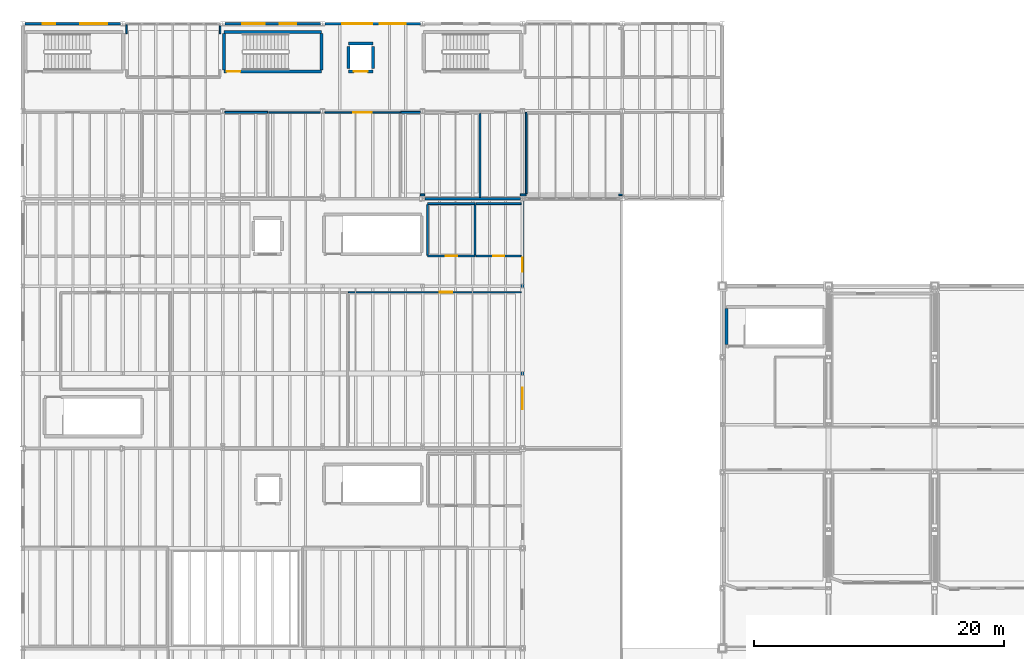
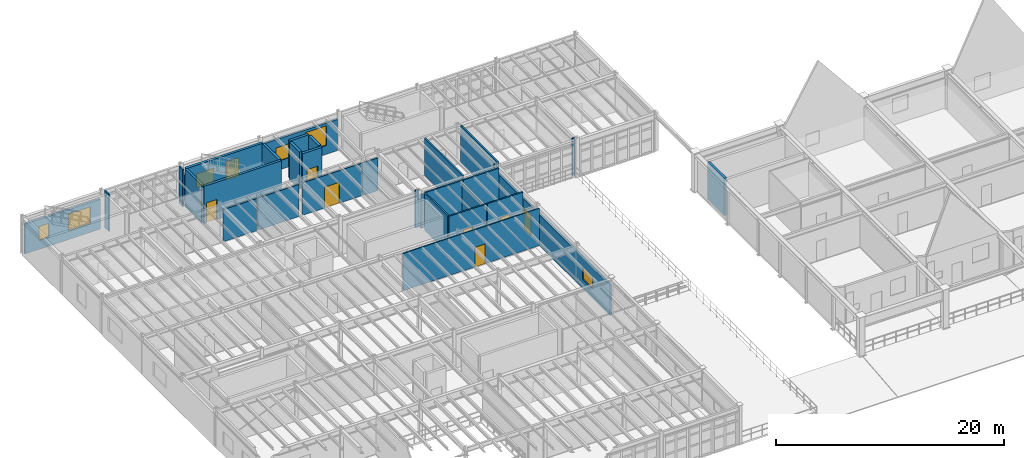
# One storey, part 61 of 78: 32 walls, 7 doors, 7 windows, 14 openings.
"""IFC4 building model written with IfcOpenShell, lengths in metres."""

from ifc_helpers import new_model, si_unit, direction, frame, frame_2d, origin, place, context, subcontext, project, spatial, rectangle, extrude, material, layer, layer_set, type_object, element, fill, save


model = new_model("IFC4")

# Units and contexts
model_context = context("Model", 3, precision=1e-05, world=origin(), true_north=direction((0.0, 1.0)))
body_context = subcontext(model_context, "Body", "Model", "MODEL_VIEW")
ifc_project = project(units=[si_unit("LENGTHUNIT", "METRE"), si_unit("AREAUNIT", "SQUARE_METRE"), si_unit("VOLUMEUNIT", "CUBIC_METRE"), si_unit("PLANEANGLEUNIT", "RADIAN"), si_unit("MASSUNIT", "GRAM", prefix="KILO"), si_unit("THERMODYNAMICTEMPERATUREUNIT", "KELVIN"), si_unit("POWERUNIT", "WATT")], contexts=[model_context])

# Site, building, storey
site_placement = place(None, origin())
site = spatial("IfcSite", under=ifc_project, at=site_placement, CompositionType="ELEMENT")
building_placement = place(site_placement, origin())
building = spatial("IfcBuilding", under=site, at=building_placement, Name="Zhenchuan Central Fire Station", CompositionType="ELEMENT")
storey_placement = place(building_placement, frame((0.0, 0.0, 5.85009765625)))
storey = spatial("IfcBuildingStorey", under=building, at=storey_placement, Name="L02", CompositionType="ELEMENT", Elevation=5.85009765625)

# Wall, openings, door, window
ifc_material_1 = material(Name="Precast concrete C40/50", Category="concrete")
ifc_layer_1 = layer(ifc_material_1, 0.219970703125, Name="Precast concrete C40/50", Category="concrete")
ifc_layer_set_1 = layer_set([ifc_layer_1], Name="Precast concrete C40/50")
wall_type_1 = type_object("IfcWallType", Name="EW-PRC220", PredefinedType="SOLIDWALL", material=ifc_layer_set_1)
wall_1_placement = place(storey_placement, frame((40.0, 22.625, 0.0), z_axis=(0.0, 0.0, 1.0), x_axis=(0.0, 1.0, 0.0)))
wall_1 = element("IfcWall", 1, at=wall_1_placement, inside=storey, type_object=wall_type_1, Name="EW-L02-V4E", PredefinedType="SOLIDWALL", context=body_context, shape_type="SweptSolid", body=[
    extrude(rectangle(XDim=19.699951171875, YDim=0.219970703125, at=frame_2d((9.85009765625, 0.0))), origin(), (0.0, 0.0, 1.0), 3.2939453125),
])
opening_1_placement = place(wall_1_placement, frame((14.0, 0.0, 0.0)))
opening_1 = element("IfcOpeningElement", 2, at=opening_1_placement, cuts=wall_1, Name="Opening TD-011", PredefinedType="OPENING", context=body_context, shape_type="SweptSolid", body=[
    extrude(rectangle(XDim=1.14990234375, YDim=2.199951171875, at=frame_2d((0.574951171875, 1.10009765625))), frame((0.0, 0.119873046875, 0.0), z_axis=(0.0, -1.0, 0.0), x_axis=(1.0, 0.0, 0.0)), (0.0, 0.0, 1.0), 0.239990234375),
])
opening_2_placement = place(wall_1_placement, frame((3.0, 0.0, 1.0)))
opening_2 = element("IfcOpeningElement", 3, at=opening_2_placement, cuts=wall_1, Name="Opening W-43", PredefinedType="OPENING", context=body_context, shape_type="SweptSolid", body=[
    extrude(rectangle(XDim=1.75, YDim=1.300048828125, at=frame_2d((0.875, 0.64990234375))), frame((0.0, 0.119873046875, 0.0), z_axis=(0.0, -1.0, 0.0), x_axis=(1.0, 0.0, 0.0)), (0.0, 0.0, 1.0), 0.239990234375),
])
ifc_material_2 = material(Name="Thermally broken aluminium terrace door", Category="aluminium")
door_type_1 = type_object("IfcDoorType", Name="ED-115x220", OperationType="NOTDEFINED", PredefinedType="DOOR", material=ifc_material_2)
door_1_placement = place(opening_1_placement, frame((1.14990234375, 0.0, 0.0), z_axis=(0.0, 0.0, 1.0), x_axis=(-1.0, 0.0, 0.0)))
door_1 = element("IfcDoor", 4, at=door_1_placement, inside=storey, type_object=door_type_1, Name="Workshop Drill Terrace Door", OperationType="SINGLE_SWING_LEFT", OverallHeight=2.199951171875, OverallWidth=1.14990234375, PredefinedType="DOOR", context=body_context, shape_type="SweptSolid", body=[
    extrude(rectangle(XDim=1.14990234375, YDim=2.199951171875, at=frame_2d((0.574951171875, 1.10009765625))), frame((0.0, 0.02490234375, 0.0), z_axis=(0.0, -1.0, 0.0), x_axis=(1.0, 0.0, 0.0)), (0.0, 0.0, 1.0), 0.050048828125),
])
fill(opening_1, door_1)
ifc_material_3 = material(Name="Laminated low-E double glazing in aluminium frame", Category="aluminium")
window_type_1 = type_object("IfcWindowType", Name="WN-43", PartitioningType="SINGLE_PANEL", PredefinedType="WINDOW", material=ifc_material_3)
window_1_placement = place(opening_2_placement, origin())
window_1 = element("IfcWindow", 5, at=window_1_placement, inside=storey, type_object=window_type_1, Name="Exterior Window 0050", OverallHeight=1.300048828125, OverallWidth=1.75, PartitioningType="SINGLE_PANEL", PredefinedType="WINDOW", context=body_context, shape_type="SweptSolid", body=[
    extrude(rectangle(XDim=1.75, YDim=1.300048828125, at=frame_2d((0.875, 0.64990234375))), frame((0.0, 0.030029296875, 0.0), z_axis=(0.0, -1.0, 0.0), x_axis=(1.0, 0.0, 0.0)), (0.0, 0.0, 1.0), 0.06005859375),
])
fill(opening_2, window_1)

# Wall, openings, windows
wall_2_placement = place(storey_placement, frame((0.175048828125, 56.5, 0.0), z_axis=(0.0, 0.0, 1.0), x_axis=(1.0, 0.0, 0.0)))
wall_2 = element("IfcWall", 6, at=wall_2_placement, inside=storey, type_object=wall_type_1, Name="EW-L02-V3N-0", PredefinedType="SOLIDWALL", context=body_context, shape_type="SweptSolid", body=[
    extrude(rectangle(XDim=7.64990234375, YDim=0.219970703125, at=frame_2d((3.824951171875, 0.0))), origin(), (0.0, 0.0, 1.0), 3.19384765625),
])
opening_3_placement = place(wall_2_placement, frame((1.39990234375, 0.0, 0.949951171875)))
opening_3 = element("IfcOpeningElement", 7, at=opening_3_placement, cuts=wall_2, Name="Opening W-12", PredefinedType="OPENING", context=body_context, shape_type="SweptSolid", body=[
    extrude(rectangle(XDim=1.0, YDim=1.5, at=frame_2d((0.5, 0.75))), frame((0.0, 0.119873046875, 0.0), z_axis=(0.0, -1.0, 0.0), x_axis=(1.0, 0.0, 0.0)), (0.0, 0.0, 1.0), 0.239990234375),
])
opening_4_placement = place(wall_2_placement, frame((4.39990234375, 0.0, 0.949951171875)))
opening_4 = element("IfcOpeningElement", 8, at=opening_4_placement, cuts=wall_2, Name="Opening W-27", PredefinedType="OPENING", context=body_context, shape_type="SweptSolid", body=[
    extrude(rectangle(XDim=2.199951171875, YDim=1.800048828125, at=frame_2d((1.10009765625, 0.89990234375))), frame((0.0, 0.119873046875, 0.0), z_axis=(0.0, -1.0, 0.0), x_axis=(1.0, 0.0, 0.0)), (0.0, 0.0, 1.0), 0.239990234375),
])
window_type_2 = type_object("IfcWindowType", Name="WN-12", PartitioningType="SINGLE_PANEL", PredefinedType="WINDOW", material=ifc_material_3)
window_2_placement = place(opening_3_placement, origin())
window_2 = element("IfcWindow", 9, at=window_2_placement, inside=storey, type_object=window_type_2, Name="Exterior Window 0064", OverallHeight=1.5, OverallWidth=1.0, PartitioningType="SINGLE_PANEL", PredefinedType="WINDOW", context=body_context, shape_type="SweptSolid", body=[
    extrude(rectangle(XDim=1.0, YDim=1.5, at=frame_2d((0.5, 0.75))), frame((0.0, 0.030029296875, 0.0), z_axis=(0.0, -1.0, 0.0), x_axis=(1.0, 0.0, 0.0)), (0.0, 0.0, 1.0), 0.06005859375),
])
fill(opening_3, window_2)
window_type_3 = type_object("IfcWindowType", Name="WN-27", PartitioningType="SINGLE_PANEL", PredefinedType="WINDOW", material=ifc_material_3)
window_3_placement = place(opening_4_placement, origin())
window_3 = element("IfcWindow", 10, at=window_3_placement, inside=storey, type_object=window_type_3, Name="Exterior Window 0065", OverallHeight=1.800048828125, OverallWidth=2.199951171875, PartitioningType="SINGLE_PANEL", PredefinedType="WINDOW", context=body_context, shape_type="SweptSolid", body=[
    extrude(rectangle(XDim=2.199951171875, YDim=1.800048828125, at=frame_2d((1.10009765625, 0.89990234375))), frame((0.0, 0.030029296875, 0.0), z_axis=(0.0, -1.0, 0.0), x_axis=(1.0, 0.0, 0.0)), (0.0, 0.0, 1.0), 0.06005859375),
])
fill(opening_4, window_3)

wall_3_placement = place(storey_placement, frame((16.175048828125, 56.5, 0.0), z_axis=(0.0, 0.0, 1.0), x_axis=(1.0, 0.0, 0.0)))
wall_3 = element("IfcWall", 11, at=wall_3_placement, inside=storey, type_object=wall_type_1, Name="EW-L02-V3N-2", PredefinedType="SOLIDWALL", context=body_context, shape_type="SweptSolid", body=[
    extrude(rectangle(XDim=7.64990234375, YDim=0.219970703125, at=frame_2d((3.824951171875, 0.0))), origin(), (0.0, 0.0, 1.0), 2.893798828125),
])
opening_5_placement = place(wall_3_placement, frame((1.39990234375, 0.0, 0.949951171875)))
opening_5 = element("IfcOpeningElement", 12, at=opening_5_placement, cuts=wall_3, Name="Opening W-18", PredefinedType="OPENING", context=body_context, shape_type="SweptSolid", body=[
    extrude(rectangle(XDim=1.800048828125, YDim=1.5, at=frame_2d((0.89990234375, 0.75))), frame((0.0, 0.119873046875, 0.0), z_axis=(0.0, -1.0, 0.0), x_axis=(1.0, 0.0, 0.0)), (0.0, 0.0, 1.0), 0.239990234375),
])
opening_6_placement = place(wall_3_placement, frame((4.39990234375, 0.0, 0.694091796875)))
opening_6 = element("IfcOpeningElement", 13, at=opening_6_placement, cuts=wall_3, Name="Opening W-33", PredefinedType="OPENING", context=body_context, shape_type="SweptSolid", body=[
    extrude(rectangle(XDim=1.300048828125, YDim=2.0, at=frame_2d((0.64990234375, 1.0))), frame((0.0, 0.119873046875, 0.0), z_axis=(0.0, -1.0, 0.0), x_axis=(1.0, 0.0, 0.0)), (0.0, 0.0, 1.0), 0.239990234375),
])
window_type_4 = type_object("IfcWindowType", Name="WN-18", PartitioningType="SINGLE_PANEL", PredefinedType="WINDOW", material=ifc_material_3)
window_4_placement = place(opening_5_placement, origin())
window_4 = element("IfcWindow", 14, at=window_4_placement, inside=storey, type_object=window_type_4, Name="Exterior Window 0066", OverallHeight=1.5, OverallWidth=1.800048828125, PartitioningType="SINGLE_PANEL", PredefinedType="WINDOW", context=body_context, shape_type="SweptSolid", body=[
    extrude(rectangle(XDim=1.800048828125, YDim=1.5, at=frame_2d((0.89990234375, 0.75))), frame((0.0, 0.030029296875, 0.0), z_axis=(0.0, -1.0, 0.0), x_axis=(1.0, 0.0, 0.0)), (0.0, 0.0, 1.0), 0.06005859375),
])
fill(opening_5, window_4)
window_type_5 = type_object("IfcWindowType", Name="WN-33", PartitioningType="SINGLE_PANEL", PredefinedType="WINDOW", material=ifc_material_3)
window_5_placement = place(opening_6_placement, origin())
window_5 = element("IfcWindow", 15, at=window_5_placement, inside=storey, type_object=window_type_5, Name="Exterior Window 0067", OverallHeight=2.0, OverallWidth=1.300048828125, PartitioningType="SINGLE_PANEL", PredefinedType="WINDOW", context=body_context, shape_type="SweptSolid", body=[
    extrude(rectangle(XDim=1.300048828125, YDim=2.0, at=frame_2d((0.64990234375, 1.0))), frame((0.0, 0.030029296875, 0.0), z_axis=(0.0, -1.0, 0.0), x_axis=(1.0, 0.0, 0.0)), (0.0, 0.0, 1.0), 0.06005859375),
])
fill(opening_6, window_5)

wall_4_placement = place(storey_placement, frame((24.175048828125, 56.5, 0.0), z_axis=(0.0, 0.0, 1.0), x_axis=(1.0, 0.0, 0.0)))
wall_4 = element("IfcWall", 16, at=wall_4_placement, inside=storey, type_object=wall_type_1, Name="EW-L02-V3N-3", PredefinedType="SOLIDWALL", context=body_context, shape_type="SweptSolid", body=[
    extrude(rectangle(XDim=7.64990234375, YDim=0.219970703125, at=frame_2d((3.824951171875, 0.0))), origin(), (0.0, 0.0, 1.0), 3.343994140625),
])
opening_7_placement = place(wall_4_placement, frame((1.39990234375, 0.0, 0.949951171875)))
opening_7 = element("IfcOpeningElement", 17, at=opening_7_placement, cuts=wall_4, Name="Opening W-21", PredefinedType="OPENING", context=body_context, shape_type="SweptSolid", body=[
    extrude(rectangle(XDim=2.39990234375, YDim=1.5, at=frame_2d((1.199951171875, 0.75))), frame((0.0, 0.119873046875, 0.0), z_axis=(0.0, -1.0, 0.0), x_axis=(1.0, 0.0, 0.0)), (0.0, 0.0, 1.0), 0.239990234375),
])
opening_8_placement = place(wall_4_placement, frame((4.39990234375, 0.0, 0.949951171875)))
opening_8 = element("IfcOpeningElement", 18, at=opening_8_placement, cuts=wall_4, Name="Opening W-36", PredefinedType="OPENING", context=body_context, shape_type="SweptSolid", body=[
    extrude(rectangle(XDim=2.10009765625, YDim=2.10009765625, at=frame_2d((1.050048828125, 1.050048828125))), frame((0.0, 0.119873046875, 0.0), z_axis=(0.0, -1.0, 0.0), x_axis=(1.0, 0.0, 0.0)), (0.0, 0.0, 1.0), 0.239990234375),
])
window_type_6 = type_object("IfcWindowType", Name="WN-21", PartitioningType="SINGLE_PANEL", PredefinedType="WINDOW", material=ifc_material_3)
window_6_placement = place(opening_7_placement, origin())
window_6 = element("IfcWindow", 19, at=window_6_placement, inside=storey, type_object=window_type_6, Name="Exterior Window 0068", OverallHeight=1.5, OverallWidth=2.39990234375, PartitioningType="SINGLE_PANEL", PredefinedType="WINDOW", context=body_context, shape_type="SweptSolid", body=[
    extrude(rectangle(XDim=2.39990234375, YDim=1.5, at=frame_2d((1.199951171875, 0.75))), frame((0.0, 0.030029296875, 0.0), z_axis=(0.0, -1.0, 0.0), x_axis=(1.0, 0.0, 0.0)), (0.0, 0.0, 1.0), 0.06005859375),
])
fill(opening_7, window_6)
window_type_7 = type_object("IfcWindowType", Name="WN-36", PartitioningType="SINGLE_PANEL", PredefinedType="WINDOW", material=ifc_material_3)
window_7_placement = place(opening_8_placement, origin())
window_7 = element("IfcWindow", 20, at=window_7_placement, inside=storey, type_object=window_type_7, Name="Exterior Window 0069", OverallHeight=2.10009765625, OverallWidth=2.10009765625, PartitioningType="SINGLE_PANEL", PredefinedType="WINDOW", context=body_context, shape_type="SweptSolid", body=[
    extrude(rectangle(XDim=2.10009765625, YDim=2.10009765625, at=frame_2d((1.050048828125, 1.050048828125))), frame((0.0, 0.030029296875, 0.0), z_axis=(0.0, -1.0, 0.0), x_axis=(1.0, 0.0, 0.0)), (0.0, 0.0, 1.0), 0.06005859375),
])
fill(opening_8, window_7)

# Wall, opening, door
ifc_material_4 = material(Name="Autoclaved aerated concrete blockwork", Category="masonry")
ifc_layer_2 = layer(ifc_material_4, 0.14990234375, Name="Autoclaved aerated concrete blockwork", Category="masonry")
ifc_layer_set_2 = layer_set([ifc_layer_2], Name="Autoclaved aerated concrete blockwork")
wall_type_2 = type_object("IfcWallType", Name="IW-BLK150", PredefinedType="PARTITIONING", material=ifc_layer_set_2)
wall_5_placement = place(storey_placement, frame((32.39990234375, 37.89990234375, 0.0), z_axis=(0.0, 0.0, 1.0), x_axis=(1.0, 0.0, 0.0)))
wall_5 = element("IfcWall", 21, at=wall_5_placement, inside=storey, type_object=wall_type_2, Name="BA Decontamination Shower Room S Partition", PredefinedType="PARTITIONING", context=body_context, shape_type="SweptSolid", body=[
    extrude(rectangle(XDim=3.800048828125, YDim=0.14990234375, at=frame_2d((1.89990234375, 0.0))), origin(), (0.0, 0.0, 1.0), 4.0),
])
opening_9_placement = place(wall_5_placement, frame((1.43994140625, 0.0, 0.0)))
opening_9 = element("IfcOpeningElement", 22, at=opening_9_placement, cuts=wall_5, Name="Opening D-129", PredefinedType="OPENING", context=body_context, shape_type="SweptSolid", body=[
    extrude(rectangle(XDim=0.919921875, YDim=2.10009765625, at=frame_2d((0.4599609375, 1.050048828125))), frame((0.0, 0.0849609375, 0.0), z_axis=(0.0, -1.0, 0.0), x_axis=(1.0, 0.0, 0.0)), (0.0, 0.0, 1.0), 0.169921875),
])
ifc_material_5 = material(Name="Moisture-resistant accessible WC door")
door_type_2 = type_object("IfcDoorType", Name="ID-WC-092x210", OperationType="NOTDEFINED", PredefinedType="DOOR", material=ifc_material_5)
door_2_placement = place(opening_9_placement, origin())
door_2 = element("IfcDoor", 23, at=door_2_placement, inside=storey, type_object=door_type_2, Name="BA Decontamination Shower Room Door", OperationType="SINGLE_SWING_LEFT", OverallHeight=2.10009765625, OverallWidth=0.919921875, PredefinedType="DOOR", context=body_context, shape_type="SweptSolid", body=[
    extrude(rectangle(XDim=0.919921875, YDim=2.10009765625, at=frame_2d((0.4599609375, 1.050048828125))), frame((0.0, 0.02490234375, 0.0), z_axis=(0.0, -1.0, 0.0), x_axis=(1.0, 0.0, 0.0)), (0.0, 0.0, 1.0), 0.050048828125),
])
fill(opening_9, door_2)

# Walls
wall_6_placement = place(storey_placement, frame((32.39990234375, 42.10009765625, 0.0), z_axis=(0.0, 0.0, 1.0), x_axis=(1.0, 0.0, 0.0)))
element("IfcWall", 24, at=wall_6_placement, inside=storey, type_object=wall_type_2, Name="BA Decontamination Shower Room N Partition", PredefinedType="PARTITIONING", context=body_context, shape_type="SweptSolid", body=[
    extrude(rectangle(XDim=3.800048828125, YDim=0.14990234375, at=frame_2d((1.89990234375, 0.0))), origin(), (0.0, 0.0, 1.0), 4.0),
])
wall_7_placement = place(storey_placement, frame((32.39990234375, 37.97802734375, 0.0), z_axis=(0.0, 0.0, 1.0), x_axis=(0.0, 1.0, 0.0)))
element("IfcWall", 25, at=wall_7_placement, inside=storey, type_object=wall_type_2, Name="BA Decontamination Shower Room W Partition", PredefinedType="PARTITIONING", context=body_context, shape_type="SweptSolid", body=[
    extrude(rectangle(XDim=4.0439453125, YDim=0.14990234375, at=frame_2d((2.02197265625, 0.0))), origin(), (0.0, 0.0, 1.0), 4.0),
])
wall_8_placement = place(storey_placement, frame((36.199951171875, 37.97802734375, 0.0), z_axis=(0.0, 0.0, 1.0), x_axis=(0.0, 1.0, 0.0)))
element("IfcWall", 26, at=wall_8_placement, inside=storey, type_object=wall_type_2, Name="BA Decontamination Shower Room E Partition", PredefinedType="PARTITIONING", context=body_context, shape_type="SweptSolid", body=[
    extrude(rectangle(XDim=4.0439453125, YDim=0.14990234375, at=frame_2d((2.02197265625, 0.0))), origin(), (0.0, 0.0, 1.0), 3.699951171875),
])

# Wall, opening, door
wall_9_placement = place(storey_placement, frame((36.278076171875, 37.89990234375, 0.0), z_axis=(0.0, 0.0, 1.0), x_axis=(1.0, 0.0, 0.0)))
wall_9 = element("IfcWall", 27, at=wall_9_placement, inside=storey, type_object=wall_type_2, Name="Workshop Upper Accessible WC S Partition", PredefinedType="PARTITIONING", context=body_context, shape_type="SweptSolid", body=[
    extrude(rectangle(XDim=3.60888671875, YDim=0.14990234375, at=frame_2d((1.804443359375, 0.0))), origin(), (0.0, 0.0, 1.0), 4.0),
])
opening_10_placement = place(wall_9_placement, frame((1.364501953125, 0.0, 0.0)))
opening_10 = element("IfcOpeningElement", 28, at=opening_10_placement, cuts=wall_9, Name="Opening D-130", PredefinedType="OPENING", context=body_context, shape_type="SweptSolid", body=[
    extrude(rectangle(XDim=0.8798828125, YDim=2.10009765625, at=frame_2d((0.43994140625, 1.050048828125))), frame((0.0, 0.0849609375, 0.0), z_axis=(0.0, -1.0, 0.0), x_axis=(1.0, 0.0, 0.0)), (0.0, 0.0, 1.0), 0.169921875),
])
ifc_material_6 = material(Name="Moisture-resistant washroom door")
door_type_3 = type_object("IfcDoorType", Name="ID-WC-088x210", OperationType="NOTDEFINED", PredefinedType="DOOR", material=ifc_material_6)
door_3_placement = place(opening_10_placement, origin())
door_3 = element("IfcDoor", 29, at=door_3_placement, inside=storey, type_object=door_type_3, Name="Workshop Upper Accessible WC Door", OperationType="SINGLE_SWING_RIGHT", OverallHeight=2.10009765625, OverallWidth=0.8798828125, PredefinedType="DOOR", context=body_context, shape_type="SweptSolid", body=[
    extrude(rectangle(XDim=0.8798828125, YDim=2.10009765625, at=frame_2d((0.43994140625, 1.050048828125))), frame((0.0, 0.02490234375, 0.0), z_axis=(0.0, -1.0, 0.0), x_axis=(1.0, 0.0, 0.0)), (0.0, 0.0, 1.0), 0.050048828125),
])
fill(opening_10, door_3)

# Walls
wall_10_placement = place(storey_placement, frame((36.278076171875, 42.10009765625, 0.0), z_axis=(0.0, 0.0, 1.0), x_axis=(1.0, 0.0, 0.0)))
element("IfcWall", 30, at=wall_10_placement, inside=storey, type_object=wall_type_2, Name="Workshop Upper Accessible WC N Partition", PredefinedType="PARTITIONING", context=body_context, shape_type="SweptSolid", body=[
    extrude(rectangle(XDim=3.60888671875, YDim=0.14990234375, at=frame_2d((1.804443359375, 0.0))), origin(), (0.0, 0.0, 1.0), 4.0),
])
wall_11_placement = place(storey_placement, frame((16.177978515625, 49.39990234375, 0.0), z_axis=(0.0, 0.0, 1.0), x_axis=(1.0, 0.0, 0.0)))
element("IfcWall", 31, at=wall_11_placement, inside=storey, type_object=wall_type_2, Name="Crew Shower and Washroom West N Partition 2", PredefinedType="PARTITIONING", context=body_context, shape_type="SweptSolid", body=[
    extrude(rectangle(XDim=3.422119140625, YDim=0.14990234375, at=frame_2d((1.7109375, 0.0))), origin(), (0.0, 0.0, 1.0), 3.44384765625),
])
wall_12_placement = place(storey_placement, frame((31.825927734375, 42.800048828125, 0.0), z_axis=(0.0, 0.0, 1.0), x_axis=(1.0, 0.0, 0.0)))
element("IfcWall", 32, at=wall_12_placement, inside=storey, type_object=wall_type_2, Name="Crew Shower Room East S Partition", PredefinedType="PARTITIONING", context=body_context, shape_type="SweptSolid", body=[
    extrude(rectangle(XDim=0.34814453125, YDim=0.14990234375, at=frame_2d((0.174072265625, 0.0))), origin(), (0.0, 0.0, 1.0), 4.0),
])
wall_13_placement = place(storey_placement, frame((30.262939453125, 49.39990234375, 0.0), z_axis=(0.0, 0.0, 1.0), x_axis=(1.0, 0.0, 0.0)))
element("IfcWall", 33, at=wall_13_placement, inside=storey, type_object=wall_type_2, Name="Crew Shower Room East N Partition 1", PredefinedType="PARTITIONING", context=body_context, shape_type="SweptSolid", body=[
    extrude(rectangle(XDim=1.55908203125, YDim=0.14990234375, at=frame_2d((0.779541015625, 0.0))), origin(), (0.0, 0.0, 1.0), 3.493896484375),
])
wall_14_placement = place(storey_placement, frame((36.60009765625, 42.60302734375, 0.0), z_axis=(0.0, 0.0, 1.0), x_axis=(0.0, 1.0, 0.0)))
element("IfcWall", 34, at=wall_14_placement, inside=storey, type_object=wall_type_2, Name="Crew Shower Room East E Partition", PredefinedType="PARTITIONING", context=body_context, shape_type="SweptSolid", body=[
    extrude(rectangle(XDim=6.718994140625, YDim=0.14990234375, at=frame_2d((3.359375, 0.0))), origin(), (0.0, 0.0, 1.0), 4.0),
])
wall_15_placement = place(storey_placement, frame((39.825927734375, 42.800048828125, 0.0), z_axis=(0.0, 0.0, 1.0), x_axis=(1.0, 0.0, 0.0)))
element("IfcWall", 35, at=wall_15_placement, inside=storey, type_object=wall_type_2, Name="Crew Dormitory Accessible WC S Partition", PredefinedType="PARTITIONING", context=body_context, shape_type="SweptSolid", body=[
    extrude(rectangle(XDim=0.47119140625, YDim=0.14990234375, at=frame_2d((0.235595703125, 0.0))), origin(), (0.0, 0.0, 1.0), 4.0),
])
wall_16_placement = place(storey_placement, frame((40.300048828125, 42.8779296875, 0.0), z_axis=(0.0, 0.0, 1.0), x_axis=(0.0, 1.0, 0.0)))
element("IfcWall", 36, at=wall_16_placement, inside=storey, type_object=wall_type_2, Name="Crew Dormitory Accessible WC E Partition", PredefinedType="PARTITIONING", context=body_context, shape_type="SweptSolid", body=[
    extrude(rectangle(XDim=6.52197265625, YDim=0.14990234375, at=frame_2d((3.260986328125, 0.0))), origin(), (0.0, 0.0, 1.0), 4.0),
])
ifc_layer_3 = layer(ifc_material_4, 0.199951171875, Name="Autoclaved aerated concrete blockwork", Category="masonry")
ifc_layer_set_3 = layer_set([ifc_layer_3], Name="Autoclaved aerated concrete blockwork")
wall_type_3 = type_object("IfcWallType", Name="IW-FIR200", PredefinedType="PARTITIONING", material=ifc_layer_set_3)
wall_17_placement = place(storey_placement, frame((32.177001953125, 42.5, 0.0), z_axis=(0.0, 0.0, 1.0), x_axis=(1.0, 0.0, 0.0)))
element("IfcWall", 37, at=wall_17_placement, inside=storey, type_object=wall_type_3, Name="L02 Workshop-Crew Fire Compartment Wall X=32..40", PredefinedType="PARTITIONING", context=body_context, shape_type="SweptSolid", body=[
    extrude(rectangle(XDim=7.64599609375, YDim=0.199951171875, at=frame_2d((3.822998046875, 0.0))), origin(), (0.0, 0.0, 1.0), 3.60400390625),
])

# Wall, opening, door
ifc_material_7 = material(Name="Gypsum plasterboard on steel studs", Category="gypsum")
ifc_layer_4 = layer(ifc_material_7, 0.10009765625, Name="Gypsum plasterboard on steel studs", Category="gypsum")
ifc_layer_set_4 = layer_set([ifc_layer_4], Name="Gypsum plasterboard on steel studs")
wall_type_4 = type_object("IfcWallType", Name="IW-GYP100", PredefinedType="PARTITIONING", material=ifc_layer_set_4)
wall_18_placement = place(storey_placement, frame((26.06298828125, 35.0, 0.0), z_axis=(0.0, 0.0, 1.0), x_axis=(1.0, 0.0, 0.0)))
wall_18 = element("IfcWall", 38, at=wall_18_placement, inside=storey, type_object=wall_type_4, Name="Flashover Observation Simulator N Partition", PredefinedType="PARTITIONING", context=body_context, shape_type="SweptSolid", body=[
    extrude(rectangle(XDim=13.823974609375, YDim=0.10009765625, at=frame_2d((6.912109375, 0.0))), origin(), (0.0, 0.0, 1.0), 4.0),
])
opening_11_placement = place(wall_18_placement, frame((7.31201171875, 0.0, 0.0)))
opening_11 = element("IfcOpeningElement", 39, at=opening_11_placement, cuts=wall_18, Name="Opening D-127", PredefinedType="OPENING", context=body_context, shape_type="SweptSolid", body=[
    extrude(rectangle(XDim=1.0, YDim=2.10009765625, at=frame_2d((0.5, 1.050048828125))), frame((0.0, 0.06005859375, 0.0), z_axis=(0.0, -1.0, 0.0), x_axis=(1.0, 0.0, 0.0)), (0.0, 0.0, 1.0), 0.1201171875),
])
ifc_material_8 = material(Name="Solid-core timber office door", Category="wood")
door_type_4 = type_object("IfcDoorType", Name="ID-OFF-100x210", OperationType="NOTDEFINED", PredefinedType="DOOR", material=ifc_material_8)
door_4_placement = place(opening_11_placement, origin())
door_4 = element("IfcDoor", 40, at=door_4_placement, inside=storey, type_object=door_type_4, Name="Flashover Observation Simulator Door", OperationType="SINGLE_SWING_LEFT", OverallHeight=2.10009765625, OverallWidth=1.0, PredefinedType="DOOR", context=body_context, shape_type="SweptSolid", body=[
    extrude(rectangle(XDim=1.0, YDim=2.10009765625, at=frame_2d((0.5, 1.050048828125))), frame((0.0, 0.02490234375, 0.0), z_axis=(0.0, -1.0, 0.0), x_axis=(1.0, 0.0, 0.0)), (0.0, 0.0, 1.0), 0.050048828125),
])
fill(opening_11, door_4)

# Wall
ifc_layer_5 = layer(ifc_material_7, 0.1201171875, Name="Gypsum plasterboard on steel studs", Category="gypsum")
ifc_layer_set_5 = layer_set([ifc_layer_5], Name="Gypsum plasterboard on steel studs")
wall_type_5 = type_object("IfcWallType", Name="IW-GYP120", PredefinedType="PARTITIONING", material=ifc_layer_set_5)
wall_19_placement = place(storey_placement, frame((19.677978515625, 49.39990234375, 0.0), z_axis=(0.0, 0.0, 1.0), x_axis=(1.0, 0.0, 0.0)))
element("IfcWall", 41, at=wall_19_placement, inside=storey, type_object=wall_type_5, Name="Crew Turnout Kit and Locker Room N Partition 1", PredefinedType="PARTITIONING", context=body_context, shape_type="SweptSolid", body=[
    extrude(rectangle(XDim=4.14404296875, YDim=0.1201171875, at=frame_2d((2.072021484375, 0.0))), origin(), (0.0, 0.0, 1.0), 3.44384765625),
])

# Wall, opening, door
wall_20_placement = place(storey_placement, frame((24.177978515625, 49.39990234375, 0.0), z_axis=(0.0, 0.0, 1.0), x_axis=(1.0, 0.0, 0.0)))
wall_20 = element("IfcWall", 42, at=wall_20_placement, inside=storey, type_object=wall_type_5, Name="Crew Turnout Kit and Locker Room N Partition 2", PredefinedType="PARTITIONING", context=body_context, shape_type="SweptSolid", body=[
    extrude(rectangle(XDim=6.02197265625, YDim=0.1201171875, at=frame_2d((3.010986328125, 0.0))), origin(), (0.0, 0.0, 1.0), 3.493896484375),
])
opening_12_placement = place(wall_20_placement, frame((2.260986328125, 0.0, 0.0)))
opening_12 = element("IfcOpeningElement", 43, at=opening_12_placement, cuts=wall_20, Name="Opening D-133", PredefinedType="OPENING", context=body_context, shape_type="SweptSolid", body=[
    extrude(rectangle(XDim=1.5, YDim=2.25, at=frame_2d((0.75, 1.125))), frame((0.0, 0.070068359375, 0.0), z_axis=(0.0, -1.0, 0.0), x_axis=(1.0, 0.0, 0.0)), (0.0, 0.0, 1.0), 0.14013671875),
])
ifc_material_9 = material(Name="Powder-coated steel workshop door", Category="steel")
door_type_5 = type_object("IfcDoorType", Name="ID-WKS-150x225", OperationType="NOTDEFINED", PredefinedType="DOOR", material=ifc_material_9)
door_5_placement = place(opening_12_placement, origin())
door_5 = element("IfcDoor", 44, at=door_5_placement, inside=storey, type_object=door_type_5, Name="Crew Turnout Kit and Locker Room Door", OperationType="SINGLE_SWING_LEFT", OverallHeight=2.25, OverallWidth=1.5, PredefinedType="DOOR", context=body_context, shape_type="SweptSolid", body=[
    extrude(rectangle(XDim=1.5, YDim=2.25, at=frame_2d((0.75, 1.125))), frame((0.0, 0.02490234375, 0.0), z_axis=(0.0, -1.0, 0.0), x_axis=(1.0, 0.0, 0.0)), (0.0, 0.0, 1.0), 0.050048828125),
])
fill(opening_12, door_5)

# Walls
wall_21_placement = place(storey_placement, frame((47.702880859375, 42.800048828125, 0.0), z_axis=(0.0, 0.0, 1.0), x_axis=(1.0, 0.0, 0.0)))
element("IfcWall", 45, at=wall_21_placement, inside=storey, type_object=wall_type_5, Name="Crew Dormitory 03 S Partition", PredefinedType="PARTITIONING", context=body_context, shape_type="SweptSolid", body=[
    extrude(rectangle(XDim=0.297119140625, YDim=0.1201171875, at=frame_2d((0.1484375, 0.0))), origin(), (0.0, 0.0, 1.0), 4.0),
])
wall_22_placement = place(storey_placement, frame((8.300048828125, 55.702880859375, 0.0), z_axis=(0.0, 0.0, 1.0), x_axis=(0.0, 1.0, 0.0)))
element("IfcWall", 46, at=wall_22_placement, inside=storey, type_object=wall_type_5, Name="Crew Dormitory 02 W Partition 2", PredefinedType="PARTITIONING", context=body_context, shape_type="SweptSolid", body=[
    extrude(rectangle(XDim=0.714111328125, YDim=0.1201171875, at=frame_2d((0.35693359375, 0.0))), origin(), (0.0, 0.0, 1.0), 4.0),
])
wall_23_placement = place(storey_placement, frame((15.800048828125, 55.702880859375, 0.0), z_axis=(0.0, 0.0, 1.0), x_axis=(0.0, 1.0, 0.0)))
element("IfcWall", 47, at=wall_23_placement, inside=storey, type_object=wall_type_5, Name="Crew Dormitory 02 E Partition 2", PredefinedType="PARTITIONING", context=body_context, shape_type="SweptSolid", body=[
    extrude(rectangle(XDim=0.619140625, YDim=0.1201171875, at=frame_2d((0.3095703125, 0.0))), origin(), (0.0, 0.0, 1.0), 4.0),
])

# Wall, opening, door
ifc_material_10 = material(Name="Concrete C40/50", Category="concrete")
ifc_layer_6 = layer(ifc_material_10, 0.25, Name="Concrete C40/50", Category="concrete")
ifc_layer_set_6 = layer_set([ifc_layer_6], Name="Concrete C40/50")
wall_type_6 = type_object("IfcWallType", Name="IW-SHR250", PredefinedType="SHEAR", material=ifc_layer_set_6)
wall_24_placement = place(storey_placement, frame((16.094970703125, 52.675048828125, 0.0), z_axis=(0.0, 0.0, 1.0), x_axis=(1.0, 0.0, 0.0)))
wall_24 = element("IfcWall", 48, at=wall_24_placement, inside=storey, type_object=wall_type_6, Name="ST-06 L02 South Core Wall", PredefinedType="SHEAR", context=body_context, shape_type="SweptSolid", body=[
    extrude(rectangle(XDim=7.81005859375, YDim=0.25, at=frame_2d((3.905029296875, 0.0))), origin(), (0.0, 0.0, 1.0), 4.0),
])
opening_13_placement = place(wall_24_placement, frame((0.219970703125, 0.0, 0.0)))
opening_13 = element("IfcOpeningElement", 49, at=opening_13_placement, cuts=wall_24, Name="Opening D-013", PredefinedType="OPENING", context=body_context, shape_type="SweptSolid", body=[
    extrude(rectangle(XDim=1.10009765625, YDim=2.14990234375, at=frame_2d((0.550048828125, 1.074951171875))), frame((0.0, 0.135009765625, 0.0), z_axis=(0.0, -1.0, 0.0), x_axis=(1.0, 0.0, 0.0)), (0.0, 0.0, 1.0), 0.27001953125),
])
ifc_material_11 = material(Name="Painted steel acoustic fire door", Category="steel")
door_type_6 = type_object("IfcDoorType", Name="ID-ST-110x215", OperationType="NOTDEFINED", PredefinedType="DOOR", material=ifc_material_11)
door_6_placement = place(opening_13_placement, frame((1.10009765625, 0.0, 0.0), z_axis=(0.0, 0.0, 1.0), x_axis=(-1.0, 0.0, 0.0)))
door_6 = element("IfcDoor", 50, at=door_6_placement, inside=storey, type_object=door_type_6, Name="ST-06 L02 Fire Door", OperationType="SINGLE_SWING_LEFT", OverallHeight=2.14990234375, OverallWidth=1.10009765625, PredefinedType="DOOR", context=body_context, shape_type="SweptSolid", body=[
    extrude(rectangle(XDim=1.10009765625, YDim=2.14990234375, at=frame_2d((0.550048828125, 1.074951171875))), frame((0.0, 0.02490234375, 0.0), z_axis=(0.0, -1.0, 0.0), x_axis=(1.0, 0.0, 0.0)), (0.0, 0.0, 1.0), 0.050048828125),
])
fill(opening_13, door_6)

# Walls
wall_25_placement = place(storey_placement, frame((16.094970703125, 55.824951171875, 0.0), z_axis=(0.0, 0.0, 1.0), x_axis=(1.0, 0.0, 0.0)))
element("IfcWall", 51, at=wall_25_placement, inside=storey, type_object=wall_type_6, Name="ST-06 L02 North Core Wall", PredefinedType="SHEAR", context=body_context, shape_type="SweptSolid", body=[
    extrude(rectangle(XDim=7.81005859375, YDim=0.25, at=frame_2d((3.905029296875, 0.0))), origin(), (0.0, 0.0, 1.0), 4.0),
])
for number, where, z_axis, x_axis, name in (
    (52, (16.094970703125, 52.800048828125, 0.0), (0.0, 0.0, 1.0), (0.0, 1.0, 0.0), "ST-06 L02 West Core Wall"),
    (53, (23.905029296875, 52.800048828125, 0.0), (0.0, 0.0, 1.0), (0.0, 1.0, 0.0), "ST-06 L02 East Core Wall"),
    (54, (56.324951171875, 30.800048828125, 0.0), (0.0, 0.0, 1.0), (0.0, 1.0, 0.0), "ST-08 L02 West Core Wall"),
):
    element("IfcWall", number, at=place(storey_placement, frame(where, z_axis=z_axis, x_axis=x_axis)), inside=storey, type_object=wall_type_6, Name=name, PredefinedType="SHEAR", context=body_context, shape_type="SweptSolid", body=[
        extrude(rectangle(XDim=2.89990234375, YDim=0.25, at=frame_2d((1.449951171875, 0.0))), origin(), (0.0, 0.0, 1.0), 4.0),
    ])

# Wall, opening, door
wall_26_placement = place(storey_placement, frame((26.074951171875, 52.675048828125, 0.0), z_axis=(0.0, 0.0, 1.0), x_axis=(1.0, 0.0, 0.0)))
wall_26 = element("IfcWall", 55, at=wall_26_placement, inside=storey, type_object=wall_type_6, Name="Lift LP-03 L02 South Shaft Wall", PredefinedType="SHEAR", context=body_context, shape_type="SweptSolid", body=[
    extrude(rectangle(XDim=1.949951171875, YDim=0.25, at=frame_2d((0.97509765625, 0.0))), origin(), (0.0, 0.0, 1.0), 4.0),
])
opening_14_placement = place(wall_26_placement, frame((0.425048828125, 0.0, 0.0)))
opening_14 = element("IfcOpeningElement", 56, at=opening_14_placement, cuts=wall_26, Name="Opening LD-016", PredefinedType="OPENING", context=body_context, shape_type="SweptSolid", body=[
    extrude(rectangle(XDim=1.10009765625, YDim=2.14990234375, at=frame_2d((0.550048828125, 1.074951171875))), frame((0.0, 0.135009765625, 0.0), z_axis=(0.0, -1.0, 0.0), x_axis=(1.0, 0.0, 0.0)), (0.0, 0.0, 1.0), 0.27001953125),
])
ifc_material_12 = material(Name="Brushed stainless steel sliding landing door", Category="steel")
door_type_7 = type_object("IfcDoorType", Name="ID-LD-110x215", OperationType="NOTDEFINED", PredefinedType="DOOR", material=ifc_material_12)
door_7_placement = place(opening_14_placement, origin())
door_7 = element("IfcDoor", 57, at=door_7_placement, inside=storey, type_object=door_type_7, Name="Lift LP-03 L02 Sliding Landing Door", OperationType="DOUBLE_DOOR_SLIDING", OverallHeight=2.14990234375, OverallWidth=1.10009765625, PredefinedType="DOOR", context=body_context, shape_type="SweptSolid", body=[
    extrude(rectangle(XDim=1.10009765625, YDim=2.14990234375, at=frame_2d((0.550048828125, 1.074951171875))), frame((0.0, 0.02490234375, 0.0), z_axis=(0.0, -1.0, 0.0), x_axis=(1.0, 0.0, 0.0)), (0.0, 0.0, 1.0), 0.050048828125),
])
fill(opening_14, door_7)

# Walls
wall_27_placement = place(storey_placement, frame((26.074951171875, 54.925048828125, 0.0), z_axis=(0.0, 0.0, 1.0), x_axis=(1.0, 0.0, 0.0)))
element("IfcWall", 58, at=wall_27_placement, inside=storey, type_object=wall_type_6, Name="Lift LP-03 L02 North Shaft Wall", PredefinedType="SHEAR", context=body_context, shape_type="SweptSolid", body=[
    extrude(rectangle(XDim=1.949951171875, YDim=0.25, at=frame_2d((0.97509765625, 0.0))), origin(), (0.0, 0.0, 1.0), 4.0),
])
for number, where, z_axis, x_axis, name in (
    (59, (26.074951171875, 52.925048828125, 0.0), (0.0, 0.0, 1.0), (0.0, 1.0, 0.0), "Lift LP-03 L02 West Shaft Wall"),
    (60, (28.02490234375, 52.925048828125, 0.0), (0.0, 0.0, 1.0), (0.0, 1.0, 0.0), "Lift LP-03 L02 East Shaft Wall"),
):
    element("IfcWall", number, at=place(storey_placement, frame(where, z_axis=z_axis, x_axis=x_axis)), inside=storey, type_object=wall_type_6, Name=name, PredefinedType="SHEAR", context=body_context, shape_type="SweptSolid", body=[
        extrude(rectangle(XDim=1.75, YDim=0.25, at=frame_2d((0.875, 0.0))), origin(), (0.0, 0.0, 1.0), 4.0),
    ])

save(model, "model.ifc")
